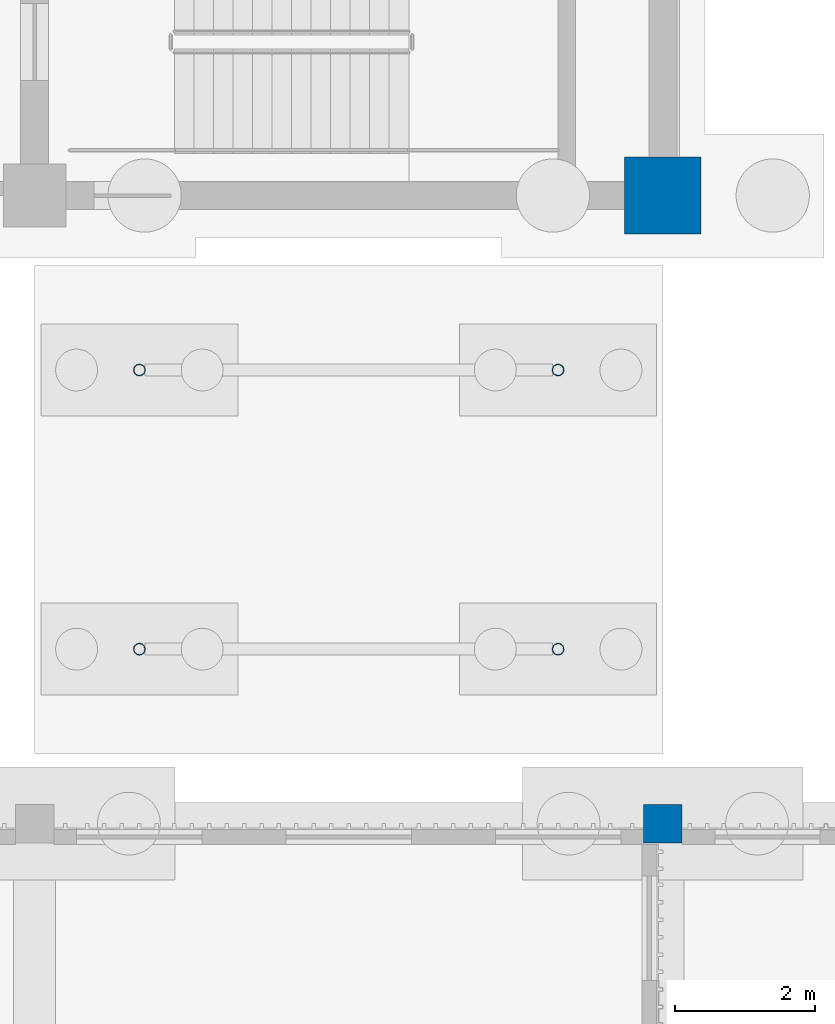
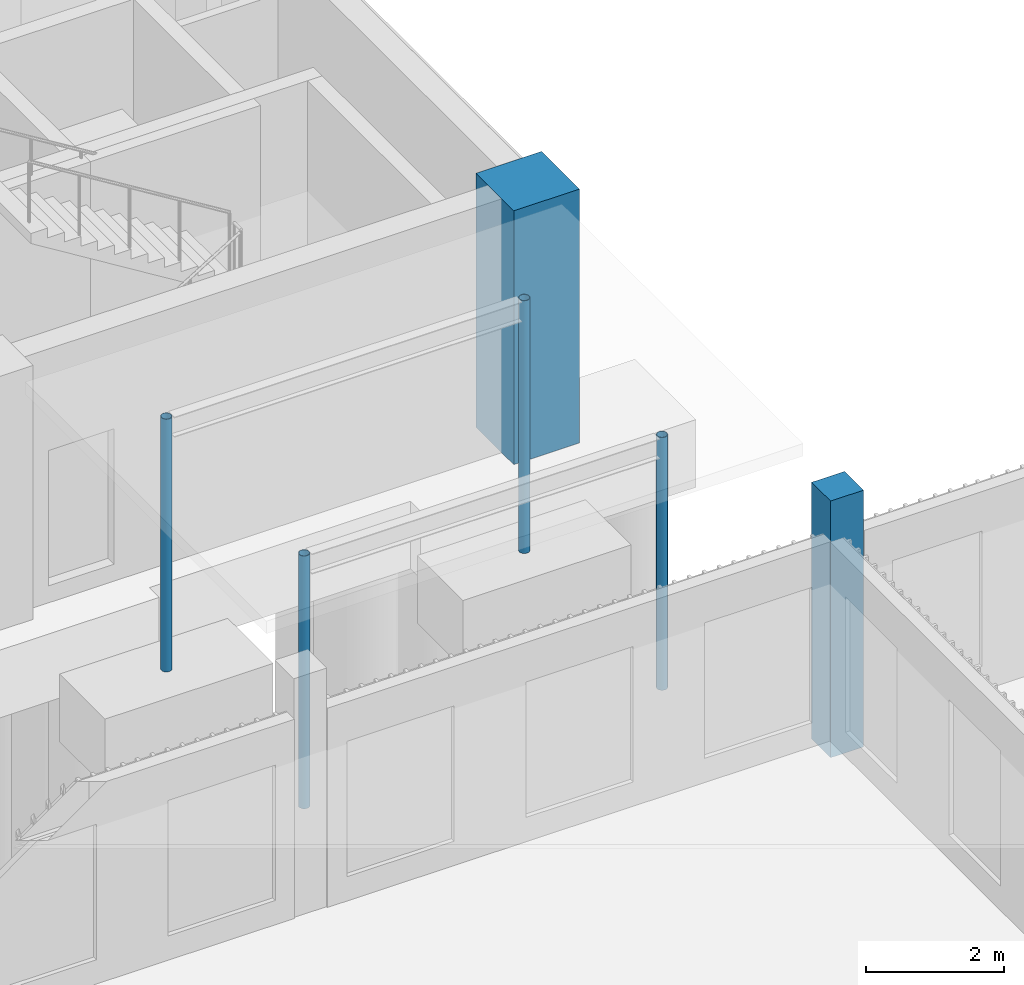
# One storey, part 22 of 106: 6 columns.
"""IFC4 building model written with IfcOpenShell, lengths in metres."""

import ifcopenshell
import ifcopenshell.guid

model = None  # the IFC model being written
_history = None  # IfcOwnerHistory: only IFC2X3 demands one
_inside = {}  # id of a spatial element -> (the spatial element, [elements in it])
_under = {}  # id of a project, library or spatial element -> (it, [spatial elements below it])
_declared = {}  # id of a project -> (the project, [libraries it declares])
_typed = {}  # id of a type object -> (the type object, [elements of that type])
_made_of = {}  # id of a material, layer set ... -> (it, [elements and type objects made of it])


def new_model(schema):
    """Start an empty IFC model of exactly this schema.

    Asked for "IFC4X3", IfcOpenShell would pick the latest addendum, in which some entities
    have other attributes; the version numbers below select the first issue.
    IFC2X3 requires an IfcOwnerHistory on every rooted entity: one is made here for all.
    """
    global model, _history
    if schema == "IFC4X3":
        model = ifcopenshell.file(schema_version=(4, 3, 0, 0))
    else:
        model = ifcopenshell.file(schema=schema)
    _inside.clear()
    _under.clear()
    _declared.clear()
    _typed.clear()
    _made_of.clear()
    _history = None
    if model.schema == "IFC2X3":
        org = make("IfcOrganization", Name="unknown")
        user = make(
            "IfcPersonAndOrganization",
            ThePerson=make("IfcPerson", FamilyName="unknown"),
            TheOrganization=org,
        )
        app = make(
            "IfcApplication",
            ApplicationDeveloper=org,
            Version="unknown",
            ApplicationFullName="unknown",
            ApplicationIdentifier="unknown",
        )
        _history = make(
            "IfcOwnerHistory",
            OwningUser=user,
            OwningApplication=app,
            ChangeAction="ADDED",
            CreationDate=0,
        )
    return model


def make(cls, **values):
    """One entity of the class cls with the attributes given. An attribute that is None is left unset."""
    return model.create_entity(
        cls, **{name: value for name, value in values.items() if value is not None}
    )


def rooted(cls, **values):
    """An entity with a GlobalId (a new one), such as an element, a storey or a relation."""
    return make(cls, GlobalId=ifcopenshell.guid.new(), OwnerHistory=_history, **values)


def si_unit(unit_type, name, prefix=None):
    """IfcSIUnit, for example si_unit("LENGTHUNIT", "METRE", prefix="MILLI")."""
    return make("IfcSIUnit", UnitType=unit_type, Prefix=prefix, Name=name)


def assignment(units):
    """IfcUnitAssignment: the units of a project."""
    return None if units is None else make("IfcUnitAssignment", Units=units)


def point(xyz):
    """IfcCartesianPoint."""
    return None if xyz is None else make("IfcCartesianPoint", Coordinates=xyz)


def direction(xyz):
    """IfcDirection."""
    return None if xyz is None else make("IfcDirection", DirectionRatios=xyz)


def frame(location, z_axis=None, x_axis=None):
    """IfcAxis2Placement3D, a coordinate frame: its origin and axes. An axis left out is left unset."""
    return make(
        "IfcAxis2Placement3D",
        Location=point(location),
        Axis=direction(z_axis),
        RefDirection=direction(x_axis),
    )


def frame_2d(location, x_axis=None):
    """IfcAxis2Placement2D, a coordinate frame in the plane: its origin and x axis."""
    return make(
        "IfcAxis2Placement2D", Location=point(location), RefDirection=direction(x_axis)
    )


def origin():
    """The frame at (0, 0, 0) with its axes left unset."""
    return frame((0.0, 0.0, 0.0))


def origin_2d():
    """The frame at (0, 0) in the plane with its x axis left unset."""
    return frame_2d((0.0, 0.0))


def place(relative_to, where):
    """IfcLocalPlacement: puts the frame where relative to a parent placement (None: the world)."""
    return make(
        "IfcLocalPlacement", PlacementRelTo=relative_to, RelativePlacement=where
    )


def context(
    kind, dimensions, precision=None, world=None, true_north=None, identifier=None
):
    """IfcGeometricRepresentationContext, for example the 3D "Model" context."""
    return make(
        "IfcGeometricRepresentationContext",
        ContextIdentifier=identifier,
        ContextType=kind,
        CoordinateSpaceDimension=dimensions,
        Precision=precision,
        WorldCoordinateSystem=world,
        TrueNorth=true_north,
    )


def subcontext(parent, identifier, kind, view, scale=None):
    """IfcGeometricRepresentationSubContext, for example "Body" below "Model"."""
    return make(
        "IfcGeometricRepresentationSubContext",
        ContextIdentifier=identifier,
        ContextType=kind,
        ParentContext=parent,
        TargetScale=scale,
        TargetView=view,
    )


def project(units=None, contexts=None):
    """IfcProject with its units and contexts."""
    return rooted(
        "IfcProject",
        Name="project",
        RepresentationContexts=contexts,
        UnitsInContext=assignment(units),
    )


def spatial(cls, under=None, at=None, **own):
    """A site, building, storey or space (cls), placed at a placement, below another one or the project."""
    s = rooted(cls, ObjectPlacement=at, **own)
    if under is not None:
        _under.setdefault(under.id(), (under, []))[1].append(s)
    return s


def profile(cls, at=None, kind="AREA", **sizes):
    """A parametric profile (cls). Its sizes go by their IFC names, for example OverallWidth=200.0."""
    return make(cls, ProfileType=kind, Position=at, **sizes)


def rectangle(**sizes):
    """IfcRectangleProfileDef."""
    return profile("IfcRectangleProfileDef", **sizes)


def hollow_circle(**sizes):
    """IfcCircleHollowProfileDef."""
    return profile("IfcCircleHollowProfileDef", **sizes)


def extrude(swept, where, along, depth):
    """IfcExtrudedAreaSolid: the profile swept, set in the frame where, extruded along a direction by depth."""
    return make(
        "IfcExtrudedAreaSolid",
        SweptArea=swept,
        Position=where,
        ExtrudedDirection=direction(along),
        Depth=depth,
    )


def shape(context_of_items, identifier, shape_type, items):
    """IfcShapeRepresentation: the items that make up one representation, for example the "Body"."""
    return make(
        "IfcShapeRepresentation",
        ContextOfItems=context_of_items,
        RepresentationIdentifier=identifier,
        RepresentationType=shape_type,
        Items=items,
    )


def material(Name=None, Category=None):
    """IfcMaterial."""
    return make("IfcMaterial", Name=Name, Category=Category)


def material_profile(
    of_material, cross_section, Name=None, Category=None, Priority=None
):
    """IfcMaterialProfile: a cross section and its material."""
    return make(
        "IfcMaterialProfile",
        Name=Name,
        Material=of_material,
        Profile=cross_section,
        Priority=Priority,
        Category=Category,
    )


def profile_set(profiles, Name=None, composite=None):
    """IfcMaterialProfileSet."""
    return make(
        "IfcMaterialProfileSet",
        Name=Name,
        MaterialProfiles=profiles,
        CompositeProfile=composite,
    )


def made_of(thing, what):
    """Note that an element or type object is made of a material, layer set ...; save() writes the relation."""
    if what is not None:
        _made_of.setdefault(what.id(), (what, []))[1].append(thing)
    return thing


def type_object(cls, material=None, **own):
    """A type object (cls), such as IfcWallType, which elements share."""
    return made_of(rooted(cls, **own), material)


def element(
    cls,
    number,
    at=None,
    inside=None,
    cuts=None,
    type_object=None,
    material=None,
    context=None,
    identifier="Body",
    shape_type=None,
    held_by="IfcProductDefinitionShape",
    body=None,
    shapes=None,
    **own,
):
    """One element of the class cls, such as IfcWall. Its Tag is "e" and its number.

    at: its placement. inside: the storey or other place that contains it. cuts: it is an
    opening in that element (IfcRelVoidsElement). A single representation is given by context,
    identifier, shape_type and body (its items); several are given by shapes. held_by: the class
    of the entity that holds the representations. save() writes the other relations.
    """
    e = rooted(cls, Tag="e%d" % number, ObjectPlacement=at, **own)
    if body is not None:
        shapes = [shape(context, identifier, shape_type, body)]
    if shapes is not None:
        e.Representation = make(held_by, Representations=shapes)
    if inside is not None:
        _inside.setdefault(inside.id(), (inside, []))[1].append(e)
    if cuts is not None:
        rooted(
            "IfcRelVoidsElement", RelatingBuildingElement=cuts, RelatedOpeningElement=e
        )
    if type_object is not None:
        _typed.setdefault(type_object.id(), (type_object, []))[1].append(e)
    return made_of(e, material)


def aggregate(whole, parts):
    """IfcRelAggregates: a whole, such as a stair, and the parts it consists of."""
    return rooted("IfcRelAggregates", RelatingObject=whole, RelatedObjects=parts)


def save(model, path):
    """Write the relations noted so far, then the file.

    IfcRelAggregates (storeys below a building ...), IfcRelContainedInSpatialStructure (elements
    in a storey), IfcRelDefinesByType, IfcRelAssociatesMaterial and IfcRelDeclares: one each for
    every whole, place, type object, material and project.
    """
    for whole, parts in _under.values():
        aggregate(whole, parts)
    for where, things in _inside.values():
        rooted(
            "IfcRelContainedInSpatialStructure",
            RelatedElements=things,
            RelatingStructure=where,
        )
    for kind, things in _typed.values():
        rooted("IfcRelDefinesByType", RelatedObjects=things, RelatingType=kind)
    for what, things in _made_of.values():
        rooted("IfcRelAssociatesMaterial", RelatedObjects=things, RelatingMaterial=what)
    for by, libraries in _declared.values():
        rooted("IfcRelDeclares", RelatingContext=by, RelatedDefinitions=libraries)
    model.write(path)


model = new_model("IFC4")

# Units and contexts
model_context = context("Model", 3, precision=1e-05, world=origin(), true_north=direction((0.0, 1.0)))
body_context = subcontext(model_context, "Body", "Model", "MODEL_VIEW")
ifc_project = project(units=[si_unit("LENGTHUNIT", "METRE"), si_unit("AREAUNIT", "SQUARE_METRE"), si_unit("VOLUMEUNIT", "CUBIC_METRE"), si_unit("PLANEANGLEUNIT", "RADIAN"), si_unit("MASSUNIT", "GRAM", prefix="KILO")], contexts=[model_context])

# Site, building, storey
site_placement = place(None, origin())
site = spatial("IfcSite", under=ifc_project, at=site_placement, CompositionType="ELEMENT")
building_placement = place(site_placement, origin())
building = spatial("IfcBuilding", under=site, at=building_placement, Name="Merrow Basin Faculty of Sciences", CompositionType="ELEMENT")
storey_placement = place(building_placement, origin())
storey = spatial("IfcBuildingStorey", under=building, at=storey_placement, Name="L00", CompositionType="ELEMENT", Elevation=0.0)

# Columns
ifc_material_1 = material(Name="Steel ASTM A500 Gr C", Category="steel")
ifc_material_profile_1 = material_profile(ifc_material_1, hollow_circle(Radius=0.084228515625, WallThickness=0.007080078125, at=origin_2d()))
ifc_profile_set_1 = profile_set([ifc_material_profile_1], Name="Steel ASTM A500 Gr C")
column_type_1 = type_object("IfcColumnType", Name="Canopy column CHS168x7.1", PredefinedType="COLUMN", material=ifc_profile_set_1)
for number, where, z_axis, x_axis, name in (
    (1, (46.5, 135.5, -0.300048828125), (0.0, 0.0, 1.0), (1.0, 0.0, 0.0), "Canopy column P3L"),
    (2, (46.5, 139.5, -0.300048828125), (0.0, 0.0, 1.0), (1.0, 0.0, 0.0), "Canopy column P3L"),
    (3, (52.5, 135.5, -0.300048828125), (0.0, 0.0, 1.0), (1.0, 0.0, 0.0), "Canopy column P3L"),
    (4, (52.5, 139.5, -0.300048828125), (0.0, 0.0, 1.0), (1.0, 0.0, 0.0), "Canopy column P3L"),
):
    element("IfcColumn", number, at=place(storey_placement, frame(where, z_axis=z_axis, x_axis=x_axis)), inside=storey, type_object=column_type_1, Name=name, PredefinedType="COLUMN", context=body_context, shape_type="SweptSolid", body=[
        extrude(hollow_circle(Radius=0.084228515625, WallThickness=0.007080078125, at=origin_2d()), origin(), (0.0, 0.0, 1.0), 4.47998046875),
    ])
ifc_material_2 = material(Name="Concrete C50/60", Category="concrete")
ifc_material_profile_2 = material_profile(ifc_material_2, rectangle(XDim=1.10009765625, YDim=1.10009765625, at=origin_2d()))
ifc_profile_set_2 = profile_set([ifc_material_profile_2], Name="Concrete C50/60")
column_type_2 = type_object("IfcColumnType", Name="Column RC1100x1100 C50/60", PredefinedType="COLUMN", material=ifc_profile_set_2)
column_1_placement = place(storey_placement, frame((54.0, 142.0, -0.300048828125), z_axis=(0.0, 0.0, 1.0), x_axis=(1.0, 0.0, 0.0)))
element("IfcColumn", 5, at=column_1_placement, inside=storey, type_object=column_type_2, Name="Column G13 L00", PredefinedType="COLUMN", context=body_context, shape_type="SweptSolid", body=[
    extrude(rectangle(XDim=1.10009765625, YDim=1.10009765625, at=origin_2d()), origin(), (0.0, 0.0, 1.0), 4.5),
])
ifc_material_3 = material(Name="Concrete C40/50", Category="concrete")
ifc_material_profile_3 = material_profile(ifc_material_3, rectangle(XDim=0.550048828125, YDim=0.550048828125, at=origin_2d()))
ifc_profile_set_3 = profile_set([ifc_material_profile_3], Name="Concrete C40/50")
column_type_3 = type_object("IfcColumnType", Name="Column RC550x550 C40/50", PredefinedType="COLUMN", material=ifc_profile_set_3)
column_2_placement = place(storey_placement, frame((54.0, 133.0, -0.300048828125), z_axis=(0.0, 0.0, 1.0), x_axis=(1.0, 0.0, 0.0)))
element("IfcColumn", 6, at=column_2_placement, inside=storey, type_object=column_type_3, Name="Column G9 L00", PredefinedType="COLUMN", context=body_context, shape_type="SweptSolid", body=[
    extrude(rectangle(XDim=0.550048828125, YDim=0.550048828125, at=origin_2d()), origin(), (0.0, 0.0, 1.0), 4.550048828125),
])

save(model, "model.ifc")
